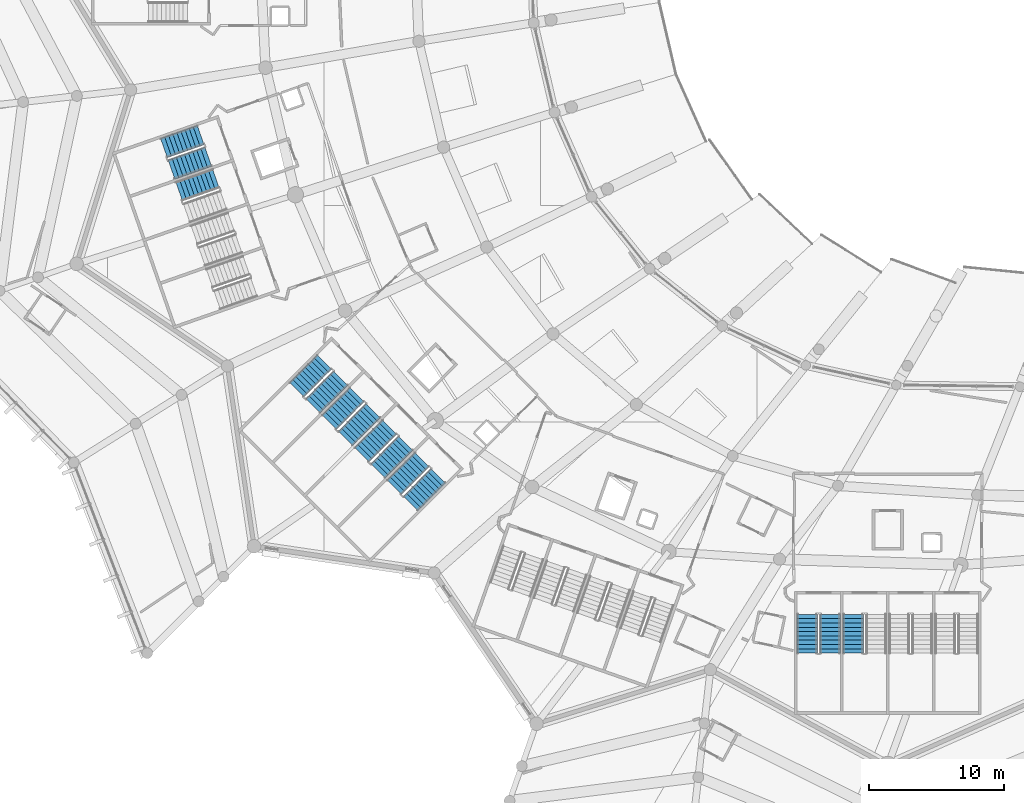
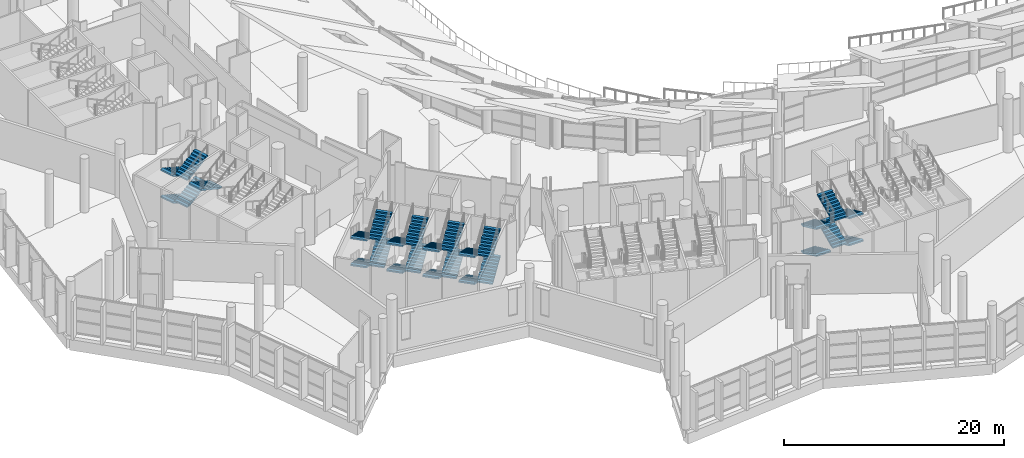
# One storey, part 183 of 249: 27 stair flights, 8 elements without a shape of their own.
"""IFC4 building model written with IfcOpenShell, lengths in metres."""

from ifc_helpers import new_model, si_unit, direction, frame, origin, place, context, subcontext, project, spatial, polyline, outline, extrude, material, type_object, element, aggregate, save


model = new_model("IFC4")

# Units and contexts
model_context = context("Model", 3, precision=1e-05, world=origin(), true_north=direction((0.0, 1.0)))
body_context = subcontext(model_context, "Body", "Model", "MODEL_VIEW")
ifc_project = project(units=[si_unit("LENGTHUNIT", "METRE"), si_unit("AREAUNIT", "SQUARE_METRE"), si_unit("VOLUMEUNIT", "CUBIC_METRE"), si_unit("PLANEANGLEUNIT", "RADIAN"), si_unit("MASSUNIT", "GRAM", prefix="KILO")], contexts=[model_context])

# Site, building, storey
site_placement = place(None, origin())
site = spatial("IfcSite", under=ifc_project, at=site_placement, CompositionType="ELEMENT")
building_placement = place(site_placement, origin())
building = spatial("IfcBuilding", under=site, at=building_placement, Name="Meseta Stadium", CompositionType="ELEMENT")
storey_placement = place(building_placement, frame((0.0, 0.0, 12.0)))
storey = spatial("IfcBuildingStorey", under=building, at=storey_placement, Name="L02", CompositionType="ELEMENT", Elevation=12.0)

# Stair, stair flights
ifc_material_1 = material(Name="Concrete C40/50", Category="concrete")
stair_type = type_object("IfcStairType", Name="Exit stair 4 flights 150 mm risers", PredefinedType="HALF_TURN_STAIR", material=ifc_material_1)
stair_1_placement = place(storey_placement, origin())
stair_1 = element("IfcStair", 1, at=stair_1_placement, inside=storey, type_object=stair_type, Name="ST77 L02", PredefinedType="HALF_TURN_STAIR")
ifc_material_2 = material(Name="Concrete C40/50", Category="concrete")
stair_flight_type = type_object("IfcStairFlightType", Name="Exit stair flight 150 mm risers, 4 per storey", PredefinedType="STRAIGHT", material=ifc_material_2)
stair_flight_1_placement = place(storey_placement, frame((-89.118408203125, -58.7841796875, 0.0), z_axis=(0.0, 0.0, 1.0), x_axis=(-0.943883331955, -0.330279057248, 0.0)))
stair_flight_1 = element("IfcStairFlight", 2, at=stair_flight_1_placement, type_object=stair_flight_type, Name="ST77 L02 flight 1", NumberOfRisers=10, NumberOfTreads=9, PredefinedType="STRAIGHT", RiserHeight=0.15, TreadLength=0.32, context=body_context, shape_type="SweptSolid", body=[
    extrude(outline(polyline([(0.0, 0.0), (0.0, 0.14990234375), (0.320068359375, 0.14990234375), (0.320068359375, 0.300048828125), (0.639892578125, 0.300048828125), (0.639892578125, 0.449951171875), (0.9599609375, 0.449951171875), (0.9599609375, 0.60009765625), (1.280029296875, 0.60009765625), (1.280029296875, 0.75), (1.60009765625, 0.75), (1.60009765625, 0.89990234375), (1.919921875, 0.89990234375), (1.919921875, 1.050048828125), (2.239990234375, 1.050048828125), (2.239990234375, 1.199951171875), (2.56005859375, 1.199951171875), (2.56005859375, 1.35009765625), (2.8798828125, 1.35009765625), (2.8798828125, 1.184326171875), (0.353271484375, 0.0), (0.0, 0.0)])), frame((0.0, 0.75, 0.0), z_axis=(0.0, -1.0, 0.0), x_axis=(1.0, 0.0, 0.0)), (0.0, 0.0, 1.0), 1.5),
])
stair_flight_2_placement = place(storey_placement, frame((-91.275390625, -61.33984375, 1.5), z_axis=(0.0, 0.0, 1.0), x_axis=(0.943883331955, 0.330279057248, 0.0)))
stair_flight_2 = element("IfcStairFlight", 3, at=stair_flight_2_placement, type_object=stair_flight_type, Name="ST77 L02 flight 2", NumberOfRisers=10, NumberOfTreads=9, PredefinedType="STRAIGHT", RiserHeight=0.15, TreadLength=0.32, context=body_context, shape_type="SweptSolid", body=[
    extrude(outline(polyline([(0.0, 0.0), (0.0, 0.14990234375), (0.320068359375, 0.14990234375), (0.320068359375, 0.300048828125), (0.639892578125, 0.300048828125), (0.639892578125, 0.449951171875), (0.9599609375, 0.449951171875), (0.9599609375, 0.60009765625), (1.280029296875, 0.60009765625), (1.280029296875, 0.75), (1.60009765625, 0.75), (1.60009765625, 0.89990234375), (1.919921875, 0.89990234375), (1.919921875, 1.050048828125), (2.239990234375, 1.050048828125), (2.239990234375, 1.199951171875), (2.56005859375, 1.199951171875), (2.56005859375, 1.35009765625), (2.8798828125, 1.35009765625), (2.8798828125, 1.184326171875), (0.353271484375, 0.0), (0.0, 0.0)])), frame((0.0, 0.75, 0.0), z_axis=(0.0, -1.0, 0.0), x_axis=(1.0, 0.0, 0.0)), (0.0, 0.0, 1.0), 1.5),
])
stair_flight_3_placement = place(storey_placement, frame((-89.118408203125, -58.7841796875, 3.0), z_axis=(0.0, 0.0, 1.0), x_axis=(-0.943883331955, -0.330279057248, 0.0)))
stair_flight_3 = element("IfcStairFlight", 4, at=stair_flight_3_placement, type_object=stair_flight_type, Name="ST77 L02 flight 3", NumberOfRisers=10, NumberOfTreads=9, PredefinedType="STRAIGHT", RiserHeight=0.15, TreadLength=0.32, context=body_context, shape_type="SweptSolid", body=[
    extrude(outline(polyline([(0.0, 0.0), (0.0, 0.14990234375), (0.320068359375, 0.14990234375), (0.320068359375, 0.300048828125), (0.639892578125, 0.300048828125), (0.639892578125, 0.449951171875), (0.9599609375, 0.449951171875), (0.9599609375, 0.60009765625), (1.280029296875, 0.60009765625), (1.280029296875, 0.75), (1.60009765625, 0.75), (1.60009765625, 0.89990234375), (1.919921875, 0.89990234375), (1.919921875, 1.050048828125), (2.239990234375, 1.050048828125), (2.239990234375, 1.199951171875), (2.56005859375, 1.199951171875), (2.56005859375, 1.35009765625), (2.8798828125, 1.35009765625), (2.8798828125, 1.184326171875), (0.353271484375, 0.0), (0.0, 0.0)])), frame((0.0, 0.75, 0.0), z_axis=(0.0, -1.0, 0.0), x_axis=(1.0, 0.0, 0.0)), (0.0, 0.0, 1.0), 1.5),
])
stair_flight_4_placement = place(storey_placement, frame((-91.275390625, -61.33984375, 4.5), z_axis=(0.0, 0.0, 1.0), x_axis=(0.943883331955, 0.330279057248, 0.0)))
stair_flight_4 = element("IfcStairFlight", 5, at=stair_flight_4_placement, type_object=stair_flight_type, Name="ST77 L02 flight 4", NumberOfRisers=10, NumberOfTreads=9, PredefinedType="STRAIGHT", RiserHeight=0.15, TreadLength=0.32, context=body_context, shape_type="SweptSolid", body=[
    extrude(outline(polyline([(0.0, 0.0), (0.0, 0.14990234375), (0.320068359375, 0.14990234375), (0.320068359375, 0.300048828125), (0.639892578125, 0.300048828125), (0.639892578125, 0.449951171875), (0.9599609375, 0.449951171875), (0.9599609375, 0.60009765625), (1.280029296875, 0.60009765625), (1.280029296875, 0.75), (1.60009765625, 0.75), (1.60009765625, 0.89990234375), (1.919921875, 0.89990234375), (1.919921875, 1.050048828125), (2.239990234375, 1.050048828125), (2.239990234375, 1.199951171875), (2.56005859375, 1.199951171875), (2.56005859375, 1.35009765625), (2.8798828125, 1.35009765625), (2.8798828125, 1.184326171875), (0.353271484375, 0.0), (0.0, 0.0)])), frame((0.0, 0.75, 0.0), z_axis=(0.0, -1.0, 0.0), x_axis=(1.0, 0.0, 0.0)), (0.0, 0.0, 1.0), 1.5),
])
aggregate(stair_1, [stair_flight_1, stair_flight_2, stair_flight_3, stair_flight_4])

# Stair, stair flight
stair_2_placement = place(storey_placement, origin())
stair_2 = element("IfcStair", 6, at=stair_2_placement, inside=storey, type_object=stair_type, Name="ST78 L02", PredefinedType="HALF_TURN_STAIR")
stair_flight_5_placement = place(storey_placement, frame((-87.99560546875, -61.9931640625, 3.0), z_axis=(0.0, 0.0, 1.0), x_axis=(-0.943883331955, -0.330279057248, 0.0)))
stair_flight_5 = element("IfcStairFlight", 7, at=stair_flight_5_placement, type_object=stair_flight_type, Name="ST78 L02 flight 3", NumberOfRisers=10, NumberOfTreads=9, PredefinedType="STRAIGHT", RiserHeight=0.15, TreadLength=0.32, context=body_context, shape_type="SweptSolid", body=[
    extrude(outline(polyline([(0.0, 0.0), (0.0, 0.14990234375), (0.320068359375, 0.14990234375), (0.320068359375, 0.300048828125), (0.639892578125, 0.300048828125), (0.639892578125, 0.449951171875), (0.9599609375, 0.449951171875), (0.9599609375, 0.60009765625), (1.280029296875, 0.60009765625), (1.280029296875, 0.75), (1.60009765625, 0.75), (1.60009765625, 0.89990234375), (1.919921875, 0.89990234375), (1.919921875, 1.050048828125), (2.239990234375, 1.050048828125), (2.239990234375, 1.199951171875), (2.56005859375, 1.199951171875), (2.56005859375, 1.35009765625), (2.8798828125, 1.35009765625), (2.8798828125, 1.184326171875), (0.353271484375, 0.0), (0.0, 0.0)])), frame((0.0, 0.75, 0.0), z_axis=(0.0, -1.0, 0.0), x_axis=(1.0, 0.0, 0.0)), (0.0, 0.0, 1.0), 1.5),
])
aggregate(stair_2, [stair_flight_5])

# Stair, stair flights
stair_3_placement = place(storey_placement, origin())
stair_3 = element("IfcStair", 8, at=stair_3_placement, inside=storey, type_object=stair_type, Name="ST81 L02", PredefinedType="HALF_TURN_STAIR")
stair_flight_6_placement = place(storey_placement, frame((-79.9765625, -75.56201171875, 0.0), z_axis=(0.0, 0.0, 1.0), x_axis=(-0.707106781187, -0.707106781187, 0.0)))
stair_flight_6 = element("IfcStairFlight", 9, at=stair_flight_6_placement, type_object=stair_flight_type, Name="ST81 L02 flight 1", NumberOfRisers=10, NumberOfTreads=9, PredefinedType="STRAIGHT", RiserHeight=0.15, TreadLength=0.32, context=body_context, shape_type="SweptSolid", body=[
    extrude(outline(polyline([(0.0, 0.0), (0.0, 0.14990234375), (0.320068359375, 0.14990234375), (0.320068359375, 0.300048828125), (0.639892578125, 0.300048828125), (0.639892578125, 0.449951171875), (0.9599609375, 0.449951171875), (0.9599609375, 0.60009765625), (1.280029296875, 0.60009765625), (1.280029296875, 0.75), (1.60009765625, 0.75), (1.60009765625, 0.89990234375), (1.919921875, 0.89990234375), (1.919921875, 1.050048828125), (2.239990234375, 1.050048828125), (2.239990234375, 1.199951171875), (2.56005859375, 1.199951171875), (2.56005859375, 1.35009765625), (2.8798828125, 1.35009765625), (2.8798828125, 1.184326171875), (0.353271484375, 0.0), (0.0, 0.0)])), frame((0.0, 0.75, 0.0), z_axis=(0.0, -1.0, 0.0), x_axis=(1.0, 0.0, 0.0)), (0.0, 0.0, 1.0), 1.5),
])
stair_flight_7_placement = place(storey_placement, frame((-80.810791015625, -78.800537109375, 1.5), z_axis=(0.0, 0.0, 1.0), x_axis=(0.707106781187, 0.707106781187, 0.0)))
stair_flight_7 = element("IfcStairFlight", 10, at=stair_flight_7_placement, type_object=stair_flight_type, Name="ST81 L02 flight 2", NumberOfRisers=10, NumberOfTreads=9, PredefinedType="STRAIGHT", RiserHeight=0.15, TreadLength=0.32, context=body_context, shape_type="SweptSolid", body=[
    extrude(outline(polyline([(0.0, 0.0), (0.0, 0.14990234375), (0.320068359375, 0.14990234375), (0.320068359375, 0.300048828125), (0.639892578125, 0.300048828125), (0.639892578125, 0.449951171875), (0.9599609375, 0.449951171875), (0.9599609375, 0.60009765625), (1.280029296875, 0.60009765625), (1.280029296875, 0.75), (1.60009765625, 0.75), (1.60009765625, 0.89990234375), (1.919921875, 0.89990234375), (1.919921875, 1.050048828125), (2.239990234375, 1.050048828125), (2.239990234375, 1.199951171875), (2.56005859375, 1.199951171875), (2.56005859375, 1.35009765625), (2.8798828125, 1.35009765625), (2.8798828125, 1.184326171875), (0.353271484375, 0.0), (0.0, 0.0)])), frame((0.0, 0.75, 0.0), z_axis=(0.0, -1.0, 0.0), x_axis=(1.0, 0.0, 0.0)), (0.0, 0.0, 1.0), 1.5),
])
stair_flight_8_placement = place(storey_placement, frame((-79.9765625, -75.56201171875, 3.0), z_axis=(0.0, 0.0, 1.0), x_axis=(-0.707106781187, -0.707106781187, 0.0)))
stair_flight_8 = element("IfcStairFlight", 11, at=stair_flight_8_placement, type_object=stair_flight_type, Name="ST81 L02 flight 3", NumberOfRisers=10, NumberOfTreads=9, PredefinedType="STRAIGHT", RiserHeight=0.15, TreadLength=0.32, context=body_context, shape_type="SweptSolid", body=[
    extrude(outline(polyline([(0.0, 0.0), (0.0, 0.14990234375), (0.320068359375, 0.14990234375), (0.320068359375, 0.300048828125), (0.639892578125, 0.300048828125), (0.639892578125, 0.449951171875), (0.9599609375, 0.449951171875), (0.9599609375, 0.60009765625), (1.280029296875, 0.60009765625), (1.280029296875, 0.75), (1.60009765625, 0.75), (1.60009765625, 0.89990234375), (1.919921875, 0.89990234375), (1.919921875, 1.050048828125), (2.239990234375, 1.050048828125), (2.239990234375, 1.199951171875), (2.56005859375, 1.199951171875), (2.56005859375, 1.35009765625), (2.8798828125, 1.35009765625), (2.8798828125, 1.184326171875), (0.353271484375, 0.0), (0.0, 0.0)])), frame((0.0, 0.75, 0.0), z_axis=(0.0, -1.0, 0.0), x_axis=(1.0, 0.0, 0.0)), (0.0, 0.0, 1.0), 1.5),
])
stair_flight_9_placement = place(storey_placement, frame((-80.810791015625, -78.800537109375, 4.5), z_axis=(0.0, 0.0, 1.0), x_axis=(0.707106781187, 0.707106781187, 0.0)))
stair_flight_9 = element("IfcStairFlight", 12, at=stair_flight_9_placement, type_object=stair_flight_type, Name="ST81 L02 flight 4", NumberOfRisers=10, NumberOfTreads=9, PredefinedType="STRAIGHT", RiserHeight=0.15, TreadLength=0.32, context=body_context, shape_type="SweptSolid", body=[
    extrude(outline(polyline([(0.0, 0.0), (0.0, 0.14990234375), (0.320068359375, 0.14990234375), (0.320068359375, 0.300048828125), (0.639892578125, 0.300048828125), (0.639892578125, 0.449951171875), (0.9599609375, 0.449951171875), (0.9599609375, 0.60009765625), (1.280029296875, 0.60009765625), (1.280029296875, 0.75), (1.60009765625, 0.75), (1.60009765625, 0.89990234375), (1.919921875, 0.89990234375), (1.919921875, 1.050048828125), (2.239990234375, 1.050048828125), (2.239990234375, 1.199951171875), (2.56005859375, 1.199951171875), (2.56005859375, 1.35009765625), (2.8798828125, 1.35009765625), (2.8798828125, 1.184326171875), (0.353271484375, 0.0), (0.0, 0.0)])), frame((0.0, 0.75, 0.0), z_axis=(0.0, -1.0, 0.0), x_axis=(1.0, 0.0, 0.0)), (0.0, 0.0, 1.0), 1.5),
])
aggregate(stair_3, [stair_flight_6, stair_flight_7, stair_flight_8, stair_flight_9])

stair_4_placement = place(storey_placement, origin())
stair_4 = element("IfcStair", 13, at=stair_4_placement, inside=storey, type_object=stair_type, Name="ST82 L02", PredefinedType="HALF_TURN_STAIR")
stair_flight_10_placement = place(storey_placement, frame((-77.572265625, -77.966064453125, 0.0), z_axis=(0.0, 0.0, 1.0), x_axis=(-0.707106781187, -0.707106781187, 0.0)))
stair_flight_10 = element("IfcStairFlight", 14, at=stair_flight_10_placement, type_object=stair_flight_type, Name="ST82 L02 flight 1", NumberOfRisers=10, NumberOfTreads=9, PredefinedType="STRAIGHT", RiserHeight=0.15, TreadLength=0.32, context=body_context, shape_type="SweptSolid", body=[
    extrude(outline(polyline([(0.0, 0.0), (0.0, 0.14990234375), (0.320068359375, 0.14990234375), (0.320068359375, 0.300048828125), (0.639892578125, 0.300048828125), (0.639892578125, 0.449951171875), (0.9599609375, 0.449951171875), (0.9599609375, 0.60009765625), (1.280029296875, 0.60009765625), (1.280029296875, 0.75), (1.60009765625, 0.75), (1.60009765625, 0.89990234375), (1.919921875, 0.89990234375), (1.919921875, 1.050048828125), (2.239990234375, 1.050048828125), (2.239990234375, 1.199951171875), (2.56005859375, 1.199951171875), (2.56005859375, 1.35009765625), (2.8798828125, 1.35009765625), (2.8798828125, 1.184326171875), (0.353271484375, 0.0), (0.0, 0.0)])), frame((0.0, 0.75, 0.0), z_axis=(0.0, -1.0, 0.0), x_axis=(1.0, 0.0, 0.0)), (0.0, 0.0, 1.0), 1.5),
])
stair_flight_11_placement = place(storey_placement, frame((-78.40673828125, -81.20458984375, 1.5), z_axis=(0.0, 0.0, 1.0), x_axis=(0.707106781187, 0.707106781187, 0.0)))
stair_flight_11 = element("IfcStairFlight", 15, at=stair_flight_11_placement, type_object=stair_flight_type, Name="ST82 L02 flight 2", NumberOfRisers=10, NumberOfTreads=9, PredefinedType="STRAIGHT", RiserHeight=0.15, TreadLength=0.32, context=body_context, shape_type="SweptSolid", body=[
    extrude(outline(polyline([(0.0, 0.0), (0.0, 0.14990234375), (0.320068359375, 0.14990234375), (0.320068359375, 0.300048828125), (0.639892578125, 0.300048828125), (0.639892578125, 0.449951171875), (0.9599609375, 0.449951171875), (0.9599609375, 0.60009765625), (1.280029296875, 0.60009765625), (1.280029296875, 0.75), (1.60009765625, 0.75), (1.60009765625, 0.89990234375), (1.919921875, 0.89990234375), (1.919921875, 1.050048828125), (2.239990234375, 1.050048828125), (2.239990234375, 1.199951171875), (2.56005859375, 1.199951171875), (2.56005859375, 1.35009765625), (2.8798828125, 1.35009765625), (2.8798828125, 1.184326171875), (0.353271484375, 0.0), (0.0, 0.0)])), frame((0.0, 0.75, 0.0), z_axis=(0.0, -1.0, 0.0), x_axis=(1.0, 0.0, 0.0)), (0.0, 0.0, 1.0), 1.5),
])
stair_flight_12_placement = place(storey_placement, frame((-77.572265625, -77.966064453125, 3.0), z_axis=(0.0, 0.0, 1.0), x_axis=(-0.707106781187, -0.707106781187, 0.0)))
stair_flight_12 = element("IfcStairFlight", 16, at=stair_flight_12_placement, type_object=stair_flight_type, Name="ST82 L02 flight 3", NumberOfRisers=10, NumberOfTreads=9, PredefinedType="STRAIGHT", RiserHeight=0.15, TreadLength=0.32, context=body_context, shape_type="SweptSolid", body=[
    extrude(outline(polyline([(0.0, 0.0), (0.0, 0.14990234375), (0.320068359375, 0.14990234375), (0.320068359375, 0.300048828125), (0.639892578125, 0.300048828125), (0.639892578125, 0.449951171875), (0.9599609375, 0.449951171875), (0.9599609375, 0.60009765625), (1.280029296875, 0.60009765625), (1.280029296875, 0.75), (1.60009765625, 0.75), (1.60009765625, 0.89990234375), (1.919921875, 0.89990234375), (1.919921875, 1.050048828125), (2.239990234375, 1.050048828125), (2.239990234375, 1.199951171875), (2.56005859375, 1.199951171875), (2.56005859375, 1.35009765625), (2.8798828125, 1.35009765625), (2.8798828125, 1.184326171875), (0.353271484375, 0.0), (0.0, 0.0)])), frame((0.0, 0.75, 0.0), z_axis=(0.0, -1.0, 0.0), x_axis=(1.0, 0.0, 0.0)), (0.0, 0.0, 1.0), 1.5),
])
stair_flight_13_placement = place(storey_placement, frame((-78.40673828125, -81.20458984375, 4.5), z_axis=(0.0, 0.0, 1.0), x_axis=(0.707106781187, 0.707106781187, 0.0)))
stair_flight_13 = element("IfcStairFlight", 17, at=stair_flight_13_placement, type_object=stair_flight_type, Name="ST82 L02 flight 4", NumberOfRisers=10, NumberOfTreads=9, PredefinedType="STRAIGHT", RiserHeight=0.15, TreadLength=0.32, context=body_context, shape_type="SweptSolid", body=[
    extrude(outline(polyline([(0.0, 0.0), (0.0, 0.14990234375), (0.320068359375, 0.14990234375), (0.320068359375, 0.300048828125), (0.639892578125, 0.300048828125), (0.639892578125, 0.449951171875), (0.9599609375, 0.449951171875), (0.9599609375, 0.60009765625), (1.280029296875, 0.60009765625), (1.280029296875, 0.75), (1.60009765625, 0.75), (1.60009765625, 0.89990234375), (1.919921875, 0.89990234375), (1.919921875, 1.050048828125), (2.239990234375, 1.050048828125), (2.239990234375, 1.199951171875), (2.56005859375, 1.199951171875), (2.56005859375, 1.35009765625), (2.8798828125, 1.35009765625), (2.8798828125, 1.184326171875), (0.353271484375, 0.0), (0.0, 0.0)])), frame((0.0, 0.75, 0.0), z_axis=(0.0, -1.0, 0.0), x_axis=(1.0, 0.0, 0.0)), (0.0, 0.0, 1.0), 1.5),
])
aggregate(stair_4, [stair_flight_10, stair_flight_11, stair_flight_12, stair_flight_13])

stair_5_placement = place(storey_placement, origin())
stair_5 = element("IfcStair", 18, at=stair_5_placement, inside=storey, type_object=stair_type, Name="ST83 L02", PredefinedType="HALF_TURN_STAIR")
stair_flight_14_placement = place(storey_placement, frame((-75.168212890625, -80.3701171875, 0.0), z_axis=(0.0, 0.0, 1.0), x_axis=(-0.707106781187, -0.707106781187, 0.0)))
stair_flight_14 = element("IfcStairFlight", 19, at=stair_flight_14_placement, type_object=stair_flight_type, Name="ST83 L02 flight 1", NumberOfRisers=10, NumberOfTreads=9, PredefinedType="STRAIGHT", RiserHeight=0.15, TreadLength=0.32, context=body_context, shape_type="SweptSolid", body=[
    extrude(outline(polyline([(0.0, 0.0), (0.0, 0.14990234375), (0.320068359375, 0.14990234375), (0.320068359375, 0.300048828125), (0.639892578125, 0.300048828125), (0.639892578125, 0.449951171875), (0.9599609375, 0.449951171875), (0.9599609375, 0.60009765625), (1.280029296875, 0.60009765625), (1.280029296875, 0.75), (1.60009765625, 0.75), (1.60009765625, 0.89990234375), (1.919921875, 0.89990234375), (1.919921875, 1.050048828125), (2.239990234375, 1.050048828125), (2.239990234375, 1.199951171875), (2.56005859375, 1.199951171875), (2.56005859375, 1.35009765625), (2.8798828125, 1.35009765625), (2.8798828125, 1.184326171875), (0.353271484375, 0.0), (0.0, 0.0)])), frame((0.0, 0.75, 0.0), z_axis=(0.0, -1.0, 0.0), x_axis=(1.0, 0.0, 0.0)), (0.0, 0.0, 1.0), 1.5),
])
stair_flight_15_placement = place(storey_placement, frame((-76.00244140625, -83.60888671875, 1.5), z_axis=(0.0, 0.0, 1.0), x_axis=(0.707106781187, 0.707106781187, 0.0)))
stair_flight_15 = element("IfcStairFlight", 20, at=stair_flight_15_placement, type_object=stair_flight_type, Name="ST83 L02 flight 2", NumberOfRisers=10, NumberOfTreads=9, PredefinedType="STRAIGHT", RiserHeight=0.15, TreadLength=0.32, context=body_context, shape_type="SweptSolid", body=[
    extrude(outline(polyline([(0.0, 0.0), (0.0, 0.14990234375), (0.320068359375, 0.14990234375), (0.320068359375, 0.300048828125), (0.639892578125, 0.300048828125), (0.639892578125, 0.449951171875), (0.9599609375, 0.449951171875), (0.9599609375, 0.60009765625), (1.280029296875, 0.60009765625), (1.280029296875, 0.75), (1.60009765625, 0.75), (1.60009765625, 0.89990234375), (1.919921875, 0.89990234375), (1.919921875, 1.050048828125), (2.239990234375, 1.050048828125), (2.239990234375, 1.199951171875), (2.56005859375, 1.199951171875), (2.56005859375, 1.35009765625), (2.8798828125, 1.35009765625), (2.8798828125, 1.184326171875), (0.353271484375, 0.0), (0.0, 0.0)])), frame((0.0, 0.75, 0.0), z_axis=(0.0, -1.0, 0.0), x_axis=(1.0, 0.0, 0.0)), (0.0, 0.0, 1.0), 1.5),
])
stair_flight_16_placement = place(storey_placement, frame((-75.168212890625, -80.3701171875, 3.0), z_axis=(0.0, 0.0, 1.0), x_axis=(-0.707106781187, -0.707106781187, 0.0)))
stair_flight_16 = element("IfcStairFlight", 21, at=stair_flight_16_placement, type_object=stair_flight_type, Name="ST83 L02 flight 3", NumberOfRisers=10, NumberOfTreads=9, PredefinedType="STRAIGHT", RiserHeight=0.15, TreadLength=0.32, context=body_context, shape_type="SweptSolid", body=[
    extrude(outline(polyline([(0.0, 0.0), (0.0, 0.14990234375), (0.320068359375, 0.14990234375), (0.320068359375, 0.300048828125), (0.639892578125, 0.300048828125), (0.639892578125, 0.449951171875), (0.9599609375, 0.449951171875), (0.9599609375, 0.60009765625), (1.280029296875, 0.60009765625), (1.280029296875, 0.75), (1.60009765625, 0.75), (1.60009765625, 0.89990234375), (1.919921875, 0.89990234375), (1.919921875, 1.050048828125), (2.239990234375, 1.050048828125), (2.239990234375, 1.199951171875), (2.56005859375, 1.199951171875), (2.56005859375, 1.35009765625), (2.8798828125, 1.35009765625), (2.8798828125, 1.184326171875), (0.353271484375, 0.0), (0.0, 0.0)])), frame((0.0, 0.75, 0.0), z_axis=(0.0, -1.0, 0.0), x_axis=(1.0, 0.0, 0.0)), (0.0, 0.0, 1.0), 1.5),
])
stair_flight_17_placement = place(storey_placement, frame((-76.00244140625, -83.60888671875, 4.5), z_axis=(0.0, 0.0, 1.0), x_axis=(0.707106781187, 0.707106781187, 0.0)))
stair_flight_17 = element("IfcStairFlight", 22, at=stair_flight_17_placement, type_object=stair_flight_type, Name="ST83 L02 flight 4", NumberOfRisers=10, NumberOfTreads=9, PredefinedType="STRAIGHT", RiserHeight=0.15, TreadLength=0.32, context=body_context, shape_type="SweptSolid", body=[
    extrude(outline(polyline([(0.0, 0.0), (0.0, 0.14990234375), (0.320068359375, 0.14990234375), (0.320068359375, 0.300048828125), (0.639892578125, 0.300048828125), (0.639892578125, 0.449951171875), (0.9599609375, 0.449951171875), (0.9599609375, 0.60009765625), (1.280029296875, 0.60009765625), (1.280029296875, 0.75), (1.60009765625, 0.75), (1.60009765625, 0.89990234375), (1.919921875, 0.89990234375), (1.919921875, 1.050048828125), (2.239990234375, 1.050048828125), (2.239990234375, 1.199951171875), (2.56005859375, 1.199951171875), (2.56005859375, 1.35009765625), (2.8798828125, 1.35009765625), (2.8798828125, 1.184326171875), (0.353271484375, 0.0), (0.0, 0.0)])), frame((0.0, 0.75, 0.0), z_axis=(0.0, -1.0, 0.0), x_axis=(1.0, 0.0, 0.0)), (0.0, 0.0, 1.0), 1.5),
])
aggregate(stair_5, [stair_flight_14, stair_flight_15, stair_flight_16, stair_flight_17])

stair_6_placement = place(storey_placement, origin())
stair_6 = element("IfcStair", 23, at=stair_6_placement, inside=storey, type_object=stair_type, Name="ST84 L02", PredefinedType="HALF_TURN_STAIR")
stair_flight_18_placement = place(storey_placement, frame((-72.763916015625, -82.7744140625, 0.0), z_axis=(0.0, 0.0, 1.0), x_axis=(-0.707106781187, -0.707106781187, 0.0)))
stair_flight_18 = element("IfcStairFlight", 24, at=stair_flight_18_placement, type_object=stair_flight_type, Name="ST84 L02 flight 1", NumberOfRisers=10, NumberOfTreads=9, PredefinedType="STRAIGHT", RiserHeight=0.15, TreadLength=0.32, context=body_context, shape_type="SweptSolid", body=[
    extrude(outline(polyline([(0.0, 0.0), (0.0, 0.14990234375), (0.320068359375, 0.14990234375), (0.320068359375, 0.300048828125), (0.639892578125, 0.300048828125), (0.639892578125, 0.449951171875), (0.9599609375, 0.449951171875), (0.9599609375, 0.60009765625), (1.280029296875, 0.60009765625), (1.280029296875, 0.75), (1.60009765625, 0.75), (1.60009765625, 0.89990234375), (1.919921875, 0.89990234375), (1.919921875, 1.050048828125), (2.239990234375, 1.050048828125), (2.239990234375, 1.199951171875), (2.56005859375, 1.199951171875), (2.56005859375, 1.35009765625), (2.8798828125, 1.35009765625), (2.8798828125, 1.184326171875), (0.353271484375, 0.0), (0.0, 0.0)])), frame((0.0, 0.75, 0.0), z_axis=(0.0, -1.0, 0.0), x_axis=(1.0, 0.0, 0.0)), (0.0, 0.0, 1.0), 1.5),
])
stair_flight_19_placement = place(storey_placement, frame((-73.598388671875, -86.012939453125, 1.5), z_axis=(0.0, 0.0, 1.0), x_axis=(0.707106781187, 0.707106781187, 0.0)))
stair_flight_19 = element("IfcStairFlight", 25, at=stair_flight_19_placement, type_object=stair_flight_type, Name="ST84 L02 flight 2", NumberOfRisers=10, NumberOfTreads=9, PredefinedType="STRAIGHT", RiserHeight=0.15, TreadLength=0.32, context=body_context, shape_type="SweptSolid", body=[
    extrude(outline(polyline([(0.0, 0.0), (0.0, 0.14990234375), (0.320068359375, 0.14990234375), (0.320068359375, 0.300048828125), (0.639892578125, 0.300048828125), (0.639892578125, 0.449951171875), (0.9599609375, 0.449951171875), (0.9599609375, 0.60009765625), (1.280029296875, 0.60009765625), (1.280029296875, 0.75), (1.60009765625, 0.75), (1.60009765625, 0.89990234375), (1.919921875, 0.89990234375), (1.919921875, 1.050048828125), (2.239990234375, 1.050048828125), (2.239990234375, 1.199951171875), (2.56005859375, 1.199951171875), (2.56005859375, 1.35009765625), (2.8798828125, 1.35009765625), (2.8798828125, 1.184326171875), (0.353271484375, 0.0), (0.0, 0.0)])), frame((0.0, 0.75, 0.0), z_axis=(0.0, -1.0, 0.0), x_axis=(1.0, 0.0, 0.0)), (0.0, 0.0, 1.0), 1.5),
])
stair_flight_20_placement = place(storey_placement, frame((-72.763916015625, -82.7744140625, 3.0), z_axis=(0.0, 0.0, 1.0), x_axis=(-0.707106781187, -0.707106781187, 0.0)))
stair_flight_20 = element("IfcStairFlight", 26, at=stair_flight_20_placement, type_object=stair_flight_type, Name="ST84 L02 flight 3", NumberOfRisers=10, NumberOfTreads=9, PredefinedType="STRAIGHT", RiserHeight=0.15, TreadLength=0.32, context=body_context, shape_type="SweptSolid", body=[
    extrude(outline(polyline([(0.0, 0.0), (0.0, 0.14990234375), (0.320068359375, 0.14990234375), (0.320068359375, 0.300048828125), (0.639892578125, 0.300048828125), (0.639892578125, 0.449951171875), (0.9599609375, 0.449951171875), (0.9599609375, 0.60009765625), (1.280029296875, 0.60009765625), (1.280029296875, 0.75), (1.60009765625, 0.75), (1.60009765625, 0.89990234375), (1.919921875, 0.89990234375), (1.919921875, 1.050048828125), (2.239990234375, 1.050048828125), (2.239990234375, 1.199951171875), (2.56005859375, 1.199951171875), (2.56005859375, 1.35009765625), (2.8798828125, 1.35009765625), (2.8798828125, 1.184326171875), (0.353271484375, 0.0), (0.0, 0.0)])), frame((0.0, 0.75, 0.0), z_axis=(0.0, -1.0, 0.0), x_axis=(1.0, 0.0, 0.0)), (0.0, 0.0, 1.0), 1.5),
])
stair_flight_21_placement = place(storey_placement, frame((-73.598388671875, -86.012939453125, 4.5), z_axis=(0.0, 0.0, 1.0), x_axis=(0.707106781187, 0.707106781187, 0.0)))
stair_flight_21 = element("IfcStairFlight", 27, at=stair_flight_21_placement, type_object=stair_flight_type, Name="ST84 L02 flight 4", NumberOfRisers=10, NumberOfTreads=9, PredefinedType="STRAIGHT", RiserHeight=0.15, TreadLength=0.32, context=body_context, shape_type="SweptSolid", body=[
    extrude(outline(polyline([(0.0, 0.0), (0.0, 0.14990234375), (0.320068359375, 0.14990234375), (0.320068359375, 0.300048828125), (0.639892578125, 0.300048828125), (0.639892578125, 0.449951171875), (0.9599609375, 0.449951171875), (0.9599609375, 0.60009765625), (1.280029296875, 0.60009765625), (1.280029296875, 0.75), (1.60009765625, 0.75), (1.60009765625, 0.89990234375), (1.919921875, 0.89990234375), (1.919921875, 1.050048828125), (2.239990234375, 1.050048828125), (2.239990234375, 1.199951171875), (2.56005859375, 1.199951171875), (2.56005859375, 1.35009765625), (2.8798828125, 1.35009765625), (2.8798828125, 1.184326171875), (0.353271484375, 0.0), (0.0, 0.0)])), frame((0.0, 0.75, 0.0), z_axis=(0.0, -1.0, 0.0), x_axis=(1.0, 0.0, 0.0)), (0.0, 0.0, 1.0), 1.5),
])
aggregate(stair_6, [stair_flight_18, stair_flight_19, stair_flight_20, stair_flight_21])

stair_7_placement = place(storey_placement, origin())
stair_7 = element("IfcStair", 28, at=stair_7_placement, inside=storey, type_object=stair_type, Name="ST89 L02", PredefinedType="HALF_TURN_STAIR")
stair_flight_22_placement = place(storey_placement, frame((-44.283447265625, -94.199951171875, 0.0), z_axis=(0.0, 0.0, 1.0), x_axis=(0.0, -1.0, 0.0)))
stair_flight_22 = element("IfcStairFlight", 29, at=stair_flight_22_placement, type_object=stair_flight_type, Name="ST89 L02 flight 1", NumberOfRisers=10, NumberOfTreads=9, PredefinedType="STRAIGHT", RiserHeight=0.15, TreadLength=0.32, context=body_context, shape_type="SweptSolid", body=[
    extrude(outline(polyline([(0.0, 0.0), (0.0, 0.14990234375), (0.320068359375, 0.14990234375), (0.320068359375, 0.300048828125), (0.639892578125, 0.300048828125), (0.639892578125, 0.449951171875), (0.9599609375, 0.449951171875), (0.9599609375, 0.60009765625), (1.280029296875, 0.60009765625), (1.280029296875, 0.75), (1.60009765625, 0.75), (1.60009765625, 0.89990234375), (1.919921875, 0.89990234375), (1.919921875, 1.050048828125), (2.239990234375, 1.050048828125), (2.239990234375, 1.199951171875), (2.56005859375, 1.199951171875), (2.56005859375, 1.35009765625), (2.8798828125, 1.35009765625), (2.8798828125, 1.184326171875), (0.353271484375, 0.0), (0.0, 0.0)])), frame((0.0, 0.75, 0.0), z_axis=(0.0, -1.0, 0.0), x_axis=(1.0, 0.0, 0.0)), (0.0, 0.0, 1.0), 1.5),
])
stair_flight_23_placement = place(storey_placement, frame((-42.583251953125, -97.080078125, 1.5), z_axis=(0.0, 0.0, 1.0), x_axis=(0.0, 1.0, 0.0)))
stair_flight_23 = element("IfcStairFlight", 30, at=stair_flight_23_placement, type_object=stair_flight_type, Name="ST89 L02 flight 2", NumberOfRisers=10, NumberOfTreads=9, PredefinedType="STRAIGHT", RiserHeight=0.15, TreadLength=0.32, context=body_context, shape_type="SweptSolid", body=[
    extrude(outline(polyline([(0.0, 0.0), (0.0, 0.14990234375), (0.320068359375, 0.14990234375), (0.320068359375, 0.300048828125), (0.639892578125, 0.300048828125), (0.639892578125, 0.449951171875), (0.9599609375, 0.449951171875), (0.9599609375, 0.60009765625), (1.280029296875, 0.60009765625), (1.280029296875, 0.75), (1.60009765625, 0.75), (1.60009765625, 0.89990234375), (1.919921875, 0.89990234375), (1.919921875, 1.050048828125), (2.239990234375, 1.050048828125), (2.239990234375, 1.199951171875), (2.56005859375, 1.199951171875), (2.56005859375, 1.35009765625), (2.8798828125, 1.35009765625), (2.8798828125, 1.184326171875), (0.353271484375, 0.0), (0.0, 0.0)])), frame((0.0, 0.75, 0.0), z_axis=(0.0, -1.0, 0.0), x_axis=(1.0, 0.0, 0.0)), (0.0, 0.0, 1.0), 1.5),
])
stair_flight_24_placement = place(storey_placement, frame((-44.283447265625, -94.199951171875, 3.0), z_axis=(0.0, 0.0, 1.0), x_axis=(0.0, -1.0, 0.0)))
stair_flight_24 = element("IfcStairFlight", 31, at=stair_flight_24_placement, type_object=stair_flight_type, Name="ST89 L02 flight 3", NumberOfRisers=10, NumberOfTreads=9, PredefinedType="STRAIGHT", RiserHeight=0.15, TreadLength=0.32, context=body_context, shape_type="SweptSolid", body=[
    extrude(outline(polyline([(0.0, 0.0), (0.0, 0.14990234375), (0.320068359375, 0.14990234375), (0.320068359375, 0.300048828125), (0.639892578125, 0.300048828125), (0.639892578125, 0.449951171875), (0.9599609375, 0.449951171875), (0.9599609375, 0.60009765625), (1.280029296875, 0.60009765625), (1.280029296875, 0.75), (1.60009765625, 0.75), (1.60009765625, 0.89990234375), (1.919921875, 0.89990234375), (1.919921875, 1.050048828125), (2.239990234375, 1.050048828125), (2.239990234375, 1.199951171875), (2.56005859375, 1.199951171875), (2.56005859375, 1.35009765625), (2.8798828125, 1.35009765625), (2.8798828125, 1.184326171875), (0.353271484375, 0.0), (0.0, 0.0)])), frame((0.0, 0.75, 0.0), z_axis=(0.0, -1.0, 0.0), x_axis=(1.0, 0.0, 0.0)), (0.0, 0.0, 1.0), 1.5),
])
stair_flight_25_placement = place(storey_placement, frame((-42.583251953125, -97.080078125, 4.5), z_axis=(0.0, 0.0, 1.0), x_axis=(0.0, 1.0, 0.0)))
stair_flight_25 = element("IfcStairFlight", 32, at=stair_flight_25_placement, type_object=stair_flight_type, Name="ST89 L02 flight 4", NumberOfRisers=10, NumberOfTreads=9, PredefinedType="STRAIGHT", RiserHeight=0.15, TreadLength=0.32, context=body_context, shape_type="SweptSolid", body=[
    extrude(outline(polyline([(0.0, 0.0), (0.0, 0.14990234375), (0.320068359375, 0.14990234375), (0.320068359375, 0.300048828125), (0.639892578125, 0.300048828125), (0.639892578125, 0.449951171875), (0.9599609375, 0.449951171875), (0.9599609375, 0.60009765625), (1.280029296875, 0.60009765625), (1.280029296875, 0.75), (1.60009765625, 0.75), (1.60009765625, 0.89990234375), (1.919921875, 0.89990234375), (1.919921875, 1.050048828125), (2.239990234375, 1.050048828125), (2.239990234375, 1.199951171875), (2.56005859375, 1.199951171875), (2.56005859375, 1.35009765625), (2.8798828125, 1.35009765625), (2.8798828125, 1.184326171875), (0.353271484375, 0.0), (0.0, 0.0)])), frame((0.0, 0.75, 0.0), z_axis=(0.0, -1.0, 0.0), x_axis=(1.0, 0.0, 0.0)), (0.0, 0.0, 1.0), 1.5),
])
aggregate(stair_7, [stair_flight_22, stair_flight_23, stair_flight_24, stair_flight_25])

stair_8_placement = place(storey_placement, origin())
stair_8 = element("IfcStair", 33, at=stair_8_placement, inside=storey, type_object=stair_type, Name="ST90 L02", PredefinedType="HALF_TURN_STAIR")
stair_flight_26_placement = place(storey_placement, frame((-40.88330078125, -94.199951171875, 0.0), z_axis=(0.0, 0.0, 1.0), x_axis=(0.0, -1.0, 0.0)))
stair_flight_26 = element("IfcStairFlight", 34, at=stair_flight_26_placement, type_object=stair_flight_type, Name="ST90 L02 flight 1", NumberOfRisers=10, NumberOfTreads=9, PredefinedType="STRAIGHT", RiserHeight=0.15, TreadLength=0.32, context=body_context, shape_type="SweptSolid", body=[
    extrude(outline(polyline([(0.0, 0.0), (0.0, 0.14990234375), (0.320068359375, 0.14990234375), (0.320068359375, 0.300048828125), (0.639892578125, 0.300048828125), (0.639892578125, 0.449951171875), (0.9599609375, 0.449951171875), (0.9599609375, 0.60009765625), (1.280029296875, 0.60009765625), (1.280029296875, 0.75), (1.60009765625, 0.75), (1.60009765625, 0.89990234375), (1.919921875, 0.89990234375), (1.919921875, 1.050048828125), (2.239990234375, 1.050048828125), (2.239990234375, 1.199951171875), (2.56005859375, 1.199951171875), (2.56005859375, 1.35009765625), (2.8798828125, 1.35009765625), (2.8798828125, 1.184326171875), (0.353271484375, 0.0), (0.0, 0.0)])), frame((0.0, 0.75, 0.0), z_axis=(0.0, -1.0, 0.0), x_axis=(1.0, 0.0, 0.0)), (0.0, 0.0, 1.0), 1.5),
])
stair_flight_27_placement = place(storey_placement, frame((-40.88330078125, -94.199951171875, 3.0), z_axis=(0.0, 0.0, 1.0), x_axis=(0.0, -1.0, 0.0)))
stair_flight_27 = element("IfcStairFlight", 35, at=stair_flight_27_placement, type_object=stair_flight_type, Name="ST90 L02 flight 3", NumberOfRisers=10, NumberOfTreads=9, PredefinedType="STRAIGHT", RiserHeight=0.15, TreadLength=0.32, context=body_context, shape_type="SweptSolid", body=[
    extrude(outline(polyline([(0.0, 0.0), (0.0, 0.14990234375), (0.320068359375, 0.14990234375), (0.320068359375, 0.300048828125), (0.639892578125, 0.300048828125), (0.639892578125, 0.449951171875), (0.9599609375, 0.449951171875), (0.9599609375, 0.60009765625), (1.280029296875, 0.60009765625), (1.280029296875, 0.75), (1.60009765625, 0.75), (1.60009765625, 0.89990234375), (1.919921875, 0.89990234375), (1.919921875, 1.050048828125), (2.239990234375, 1.050048828125), (2.239990234375, 1.199951171875), (2.56005859375, 1.199951171875), (2.56005859375, 1.35009765625), (2.8798828125, 1.35009765625), (2.8798828125, 1.184326171875), (0.353271484375, 0.0), (0.0, 0.0)])), frame((0.0, 0.75, 0.0), z_axis=(0.0, -1.0, 0.0), x_axis=(1.0, 0.0, 0.0)), (0.0, 0.0, 1.0), 1.5),
])
aggregate(stair_8, [stair_flight_26, stair_flight_27])

save(model, "model.ifc")
